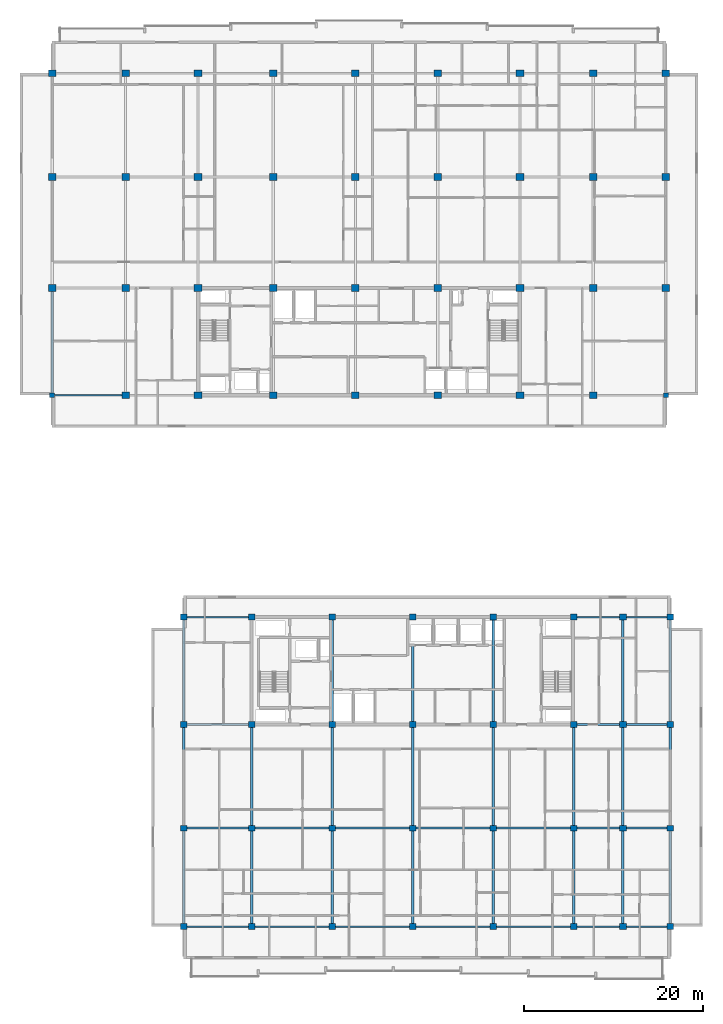
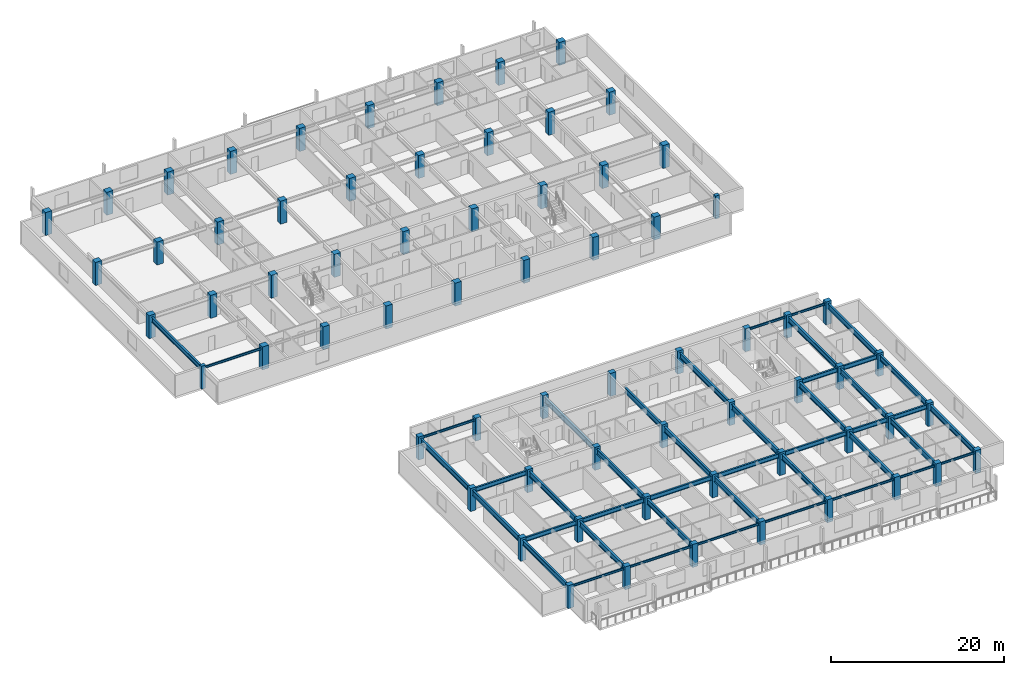
# One storey, part 1 of 22: 68 columns, 44 beams.
"""IFC4 building model written with IfcOpenShell, lengths in metres."""

from ifc_helpers import new_model, si_unit, direction, frame, origin, origin_2d, place, context, subcontext, project, spatial, rectangle, i_section, extrude, material, material_profile, profile_set, type_object, element, save


model = new_model("IFC4")

# Units and contexts
model_context = context("Model", 3, precision=1e-05, world=origin(), true_north=direction((0.0, 1.0)))
body_context = subcontext(model_context, "Body", "Model", "MODEL_VIEW")
ifc_project = project(units=[si_unit("LENGTHUNIT", "METRE"), si_unit("AREAUNIT", "SQUARE_METRE"), si_unit("VOLUMEUNIT", "CUBIC_METRE"), si_unit("PLANEANGLEUNIT", "RADIAN"), si_unit("MASSUNIT", "GRAM", prefix="KILO")], contexts=[model_context])

# Site, building, storey
site_placement = place(None, origin())
site = spatial("IfcSite", under=ifc_project, at=site_placement, CompositionType="ELEMENT")
building_placement = place(site_placement, origin())
building = spatial("IfcBuilding", under=site, at=building_placement, Name="Korimba Cascade Residences", CompositionType="ELEMENT")
storey_placement = place(building_placement, frame((0.0, 0.0, 194.60009765625)))
storey = spatial("IfcBuildingStorey", under=building, at=storey_placement, Name="L56", CompositionType="ELEMENT", Elevation=194.60009765625)

# Columns
ifc_material_1 = material(Name="Concrete C65/80", Category="concrete")
ifc_material_profile_1 = material_profile(ifc_material_1, rectangle(XDim=0.550048828125, YDim=0.449951171875, at=origin_2d()), Name="Concrete C65/80")
ifc_profile_set_1 = profile_set([ifc_material_profile_1], Name="Concrete C65/80")
column_type_1 = type_object("IfcColumnType", Name="COL-PIL-550", PredefinedType="PILASTER", material=ifc_profile_set_1)
for number, where, z_axis, x_axis, name in (
    (1, (59.800048828125, 55.199951171875, 0.0), (0.0, 0.0, 1.0), (1.0, 0.0, 0.0), "L56 Tower 1 Column 1.1"),
    (2, (128.39990234375, 55.199951171875, 0.0), (0.0, 0.0, 1.0), (1.0, 0.0, 0.0), "L56 Tower 1 Column 9.1"),
):
    element("IfcColumn", number, at=place(storey_placement, frame(where, z_axis=z_axis, x_axis=x_axis)), inside=storey, type_object=column_type_1, Name=name, PredefinedType="PILASTER", context=body_context, shape_type="SweptSolid", body=[
        extrude(rectangle(XDim=0.550048828125, YDim=0.449951171875, at=origin_2d()), origin(), (0.0, 0.0, 1.0), 3.25),
    ])
ifc_material_2 = material(Name="Concrete C50/60", Category="concrete")
ifc_material_profile_2 = material_profile(ifc_material_2, rectangle(XDim=0.75, YDim=0.64990234375, at=origin_2d()), Name="Concrete C50/60")
ifc_profile_set_2 = profile_set([ifc_material_profile_2], Name="Concrete C50/60")
column_type_2 = type_object("IfcColumnType", Name="COL-RC-750", PredefinedType="COLUMN", material=ifc_profile_set_2)
for number, where, z_axis, x_axis, name in (
    (3, (74.5, -4.199951171875, 0.0), (0.0, 0.0, 1.0), (1.0, 0.0, 0.0), "L56 Tower 2 Column 1.1"),
    (4, (74.5, 6.800048828125, 0.0), (0.0, 0.0, 1.0), (1.0, 0.0, 0.0), "L56 Tower 2 Column 1.2"),
    (5, (74.5, 18.39990234375, 0.0), (0.0, 0.0, 1.0), (1.0, 0.0, 0.0), "L56 Tower 2 Column 1.3"),
    (6, (74.5, 30.39990234375, 0.0), (0.0, 0.0, 1.0), (1.0, 0.0, 0.0), "L56 Tower 2 Column 1.4"),
    (7, (82.10009765625, -4.199951171875, 0.0), (0.0, 0.0, 1.0), (1.0, 0.0, 0.0), "L56 Tower 2 Column 2.1"),
    (8, (82.10009765625, 6.800048828125, 0.0), (0.0, 0.0, 1.0), (1.0, 0.0, 0.0), "L56 Tower 2 Column 2.2"),
    (9, (82.10009765625, 18.39990234375, 0.0), (0.0, 0.0, 1.0), (1.0, 0.0, 0.0), "L56 Tower 2 Column 2.3"),
    (10, (82.10009765625, 30.39990234375, 0.0), (0.0, 0.0, 1.0), (1.0, 0.0, 0.0), "L56 Tower 2 Column 2.4"),
    (11, (91.10009765625, -4.199951171875, 0.0), (0.0, 0.0, 1.0), (1.0, 0.0, 0.0), "L56 Tower 2 Column 3.1"),
    (12, (91.10009765625, 6.800048828125, 0.0), (0.0, 0.0, 1.0), (1.0, 0.0, 0.0), "L56 Tower 2 Column 3.2"),
    (13, (91.10009765625, 18.39990234375, 0.0), (0.0, 0.0, 1.0), (1.0, 0.0, 0.0), "L56 Tower 2 Column 3.3"),
    (14, (91.10009765625, 30.39990234375, 0.0), (0.0, 0.0, 1.0), (1.0, 0.0, 0.0), "L56 Tower 2 Column 3.4"),
    (15, (100.10009765625, -4.199951171875, 0.0), (0.0, 0.0, 1.0), (1.0, 0.0, 0.0), "L56 Tower 2 Column 4.1"),
    (16, (100.10009765625, 6.800048828125, 0.0), (0.0, 0.0, 1.0), (1.0, 0.0, 0.0), "L56 Tower 2 Column 4.2"),
    (17, (100.10009765625, 18.39990234375, 0.0), (0.0, 0.0, 1.0), (1.0, 0.0, 0.0), "L56 Tower 2 Column 4.3"),
    (18, (100.10009765625, 30.39990234375, 0.0), (0.0, 0.0, 1.0), (1.0, 0.0, 0.0), "L56 Tower 2 Column 4.4"),
    (19, (109.10009765625, -4.199951171875, 0.0), (0.0, 0.0, 1.0), (1.0, 0.0, 0.0), "L56 Tower 2 Column 5.1"),
    (20, (109.10009765625, 6.800048828125, 0.0), (0.0, 0.0, 1.0), (1.0, 0.0, 0.0), "L56 Tower 2 Column 5.2"),
    (21, (109.10009765625, 18.39990234375, 0.0), (0.0, 0.0, 1.0), (1.0, 0.0, 0.0), "L56 Tower 2 Column 5.3"),
    (22, (109.10009765625, 30.39990234375, 0.0), (0.0, 0.0, 1.0), (1.0, 0.0, 0.0), "L56 Tower 2 Column 5.4"),
    (23, (118.10009765625, -4.199951171875, 0.0), (0.0, 0.0, 1.0), (1.0, 0.0, 0.0), "L56 Tower 2 Column 6.1"),
    (24, (118.10009765625, 6.800048828125, 0.0), (0.0, 0.0, 1.0), (1.0, 0.0, 0.0), "L56 Tower 2 Column 6.2"),
    (25, (118.10009765625, 18.39990234375, 0.0), (0.0, 0.0, 1.0), (1.0, 0.0, 0.0), "L56 Tower 2 Column 6.3"),
    (26, (118.10009765625, 30.39990234375, 0.0), (0.0, 0.0, 1.0), (1.0, 0.0, 0.0), "L56 Tower 2 Column 6.4"),
    (27, (123.60009765625, -4.199951171875, 0.0), (0.0, 0.0, 1.0), (1.0, 0.0, 0.0), "L56 Tower 2 Column 7.1"),
    (28, (123.60009765625, 6.800048828125, 0.0), (0.0, 0.0, 1.0), (1.0, 0.0, 0.0), "L56 Tower 2 Column 7.2"),
    (29, (123.60009765625, 18.39990234375, 0.0), (0.0, 0.0, 1.0), (1.0, 0.0, 0.0), "L56 Tower 2 Column 7.3"),
    (30, (123.60009765625, 30.39990234375, 0.0), (0.0, 0.0, 1.0), (1.0, 0.0, 0.0), "L56 Tower 2 Column 7.4"),
    (31, (128.89990234375, -4.199951171875, 0.0), (0.0, 0.0, 1.0), (1.0, 0.0, 0.0), "L56 Tower 2 Column 8.1"),
    (32, (128.89990234375, 6.800048828125, 0.0), (0.0, 0.0, 1.0), (1.0, 0.0, 0.0), "L56 Tower 2 Column 8.2"),
    (33, (128.89990234375, 18.39990234375, 0.0), (0.0, 0.0, 1.0), (1.0, 0.0, 0.0), "L56 Tower 2 Column 8.3"),
    (34, (128.89990234375, 30.39990234375, 0.0), (0.0, 0.0, 1.0), (1.0, 0.0, 0.0), "L56 Tower 2 Column 8.4"),
):
    element("IfcColumn", number, at=place(storey_placement, frame(where, z_axis=z_axis, x_axis=x_axis)), inside=storey, type_object=column_type_2, Name=name, PredefinedType="COLUMN", context=body_context, shape_type="SweptSolid", body=[
        extrude(rectangle(XDim=0.75, YDim=0.64990234375, at=origin_2d()), origin(), (0.0, 0.0, 1.0), 3.25),
    ])
ifc_material_profile_3 = material_profile(ifc_material_1, rectangle(XDim=0.85009765625, YDim=0.75, at=origin_2d()), Name="Concrete C65/80")
ifc_profile_set_3 = profile_set([ifc_material_profile_3], Name="Concrete C65/80")
column_type_3 = type_object("IfcColumnType", Name="COL-RC-850", PredefinedType="COLUMN", material=ifc_profile_set_3)
for number, where, z_axis, x_axis, name in (
    (35, (59.800048828125, 67.199951171875, 0.0), (0.0, 0.0, 1.0), (1.0, 0.0, 0.0), "L56 Tower 1 Column 1.2"),
    (36, (59.800048828125, 79.60009765625, 0.0), (0.0, 0.0, 1.0), (1.0, 0.0, 0.0), "L56 Tower 1 Column 1.3"),
    (37, (59.800048828125, 91.199951171875, 0.0), (0.0, 0.0, 1.0), (1.0, 0.0, 0.0), "L56 Tower 1 Column 1.4"),
    (38, (68.0, 55.199951171875, 0.0), (0.0, 0.0, 1.0), (1.0, 0.0, 0.0), "L56 Tower 1 Column 2.1"),
    (39, (68.0, 67.199951171875, 0.0), (0.0, 0.0, 1.0), (1.0, 0.0, 0.0), "L56 Tower 1 Column 2.2"),
    (40, (68.0, 79.60009765625, 0.0), (0.0, 0.0, 1.0), (1.0, 0.0, 0.0), "L56 Tower 1 Column 2.3"),
    (41, (68.0, 91.199951171875, 0.0), (0.0, 0.0, 1.0), (1.0, 0.0, 0.0), "L56 Tower 1 Column 2.4"),
    (42, (76.10009765625, 55.199951171875, 0.0), (0.0, 0.0, 1.0), (1.0, 0.0, 0.0), "L56 Tower 1 Column 3.1"),
    (43, (76.10009765625, 67.199951171875, 0.0), (0.0, 0.0, 1.0), (1.0, 0.0, 0.0), "L56 Tower 1 Column 3.2"),
    (44, (76.10009765625, 79.60009765625, 0.0), (0.0, 0.0, 1.0), (1.0, 0.0, 0.0), "L56 Tower 1 Column 3.3"),
    (45, (76.10009765625, 91.199951171875, 0.0), (0.0, 0.0, 1.0), (1.0, 0.0, 0.0), "L56 Tower 1 Column 3.4"),
    (46, (84.5, 55.199951171875, 0.0), (0.0, 0.0, 1.0), (1.0, 0.0, 0.0), "L56 Tower 1 Column 4.1"),
    (47, (84.5, 67.199951171875, 0.0), (0.0, 0.0, 1.0), (1.0, 0.0, 0.0), "L56 Tower 1 Column 4.2"),
    (48, (84.5, 79.60009765625, 0.0), (0.0, 0.0, 1.0), (1.0, 0.0, 0.0), "L56 Tower 1 Column 4.3"),
    (49, (84.5, 91.199951171875, 0.0), (0.0, 0.0, 1.0), (1.0, 0.0, 0.0), "L56 Tower 1 Column 4.4"),
    (50, (93.699951171875, 55.199951171875, 0.0), (0.0, 0.0, 1.0), (1.0, 0.0, 0.0), "L56 Tower 1 Column 5.1"),
    (51, (93.699951171875, 67.199951171875, 0.0), (0.0, 0.0, 1.0), (1.0, 0.0, 0.0), "L56 Tower 1 Column 5.2"),
    (52, (93.699951171875, 79.60009765625, 0.0), (0.0, 0.0, 1.0), (1.0, 0.0, 0.0), "L56 Tower 1 Column 5.3"),
    (53, (93.699951171875, 91.199951171875, 0.0), (0.0, 0.0, 1.0), (1.0, 0.0, 0.0), "L56 Tower 1 Column 5.4"),
    (54, (102.89990234375, 55.199951171875, 0.0), (0.0, 0.0, 1.0), (1.0, 0.0, 0.0), "L56 Tower 1 Column 6.1"),
    (55, (102.89990234375, 67.199951171875, 0.0), (0.0, 0.0, 1.0), (1.0, 0.0, 0.0), "L56 Tower 1 Column 6.2"),
    (56, (102.89990234375, 79.60009765625, 0.0), (0.0, 0.0, 1.0), (1.0, 0.0, 0.0), "L56 Tower 1 Column 6.3"),
    (57, (102.89990234375, 91.199951171875, 0.0), (0.0, 0.0, 1.0), (1.0, 0.0, 0.0), "L56 Tower 1 Column 6.4"),
    (58, (112.10009765625, 55.199951171875, 0.0), (0.0, 0.0, 1.0), (1.0, 0.0, 0.0), "L56 Tower 1 Column 7.1"),
    (59, (112.10009765625, 67.199951171875, 0.0), (0.0, 0.0, 1.0), (1.0, 0.0, 0.0), "L56 Tower 1 Column 7.2"),
    (60, (112.10009765625, 79.60009765625, 0.0), (0.0, 0.0, 1.0), (1.0, 0.0, 0.0), "L56 Tower 1 Column 7.3"),
    (61, (112.10009765625, 91.199951171875, 0.0), (0.0, 0.0, 1.0), (1.0, 0.0, 0.0), "L56 Tower 1 Column 7.4"),
    (62, (120.300048828125, 55.199951171875, 0.0), (0.0, 0.0, 1.0), (1.0, 0.0, 0.0), "L56 Tower 1 Column 8.1"),
    (63, (120.300048828125, 67.199951171875, 0.0), (0.0, 0.0, 1.0), (1.0, 0.0, 0.0), "L56 Tower 1 Column 8.2"),
    (64, (120.300048828125, 79.60009765625, 0.0), (0.0, 0.0, 1.0), (1.0, 0.0, 0.0), "L56 Tower 1 Column 8.3"),
    (65, (120.300048828125, 91.199951171875, 0.0), (0.0, 0.0, 1.0), (1.0, 0.0, 0.0), "L56 Tower 1 Column 8.4"),
    (66, (128.39990234375, 67.199951171875, 0.0), (0.0, 0.0, 1.0), (1.0, 0.0, 0.0), "L56 Tower 1 Column 9.2"),
    (67, (128.39990234375, 79.60009765625, 0.0), (0.0, 0.0, 1.0), (1.0, 0.0, 0.0), "L56 Tower 1 Column 9.3"),
    (68, (128.39990234375, 91.199951171875, 0.0), (0.0, 0.0, 1.0), (1.0, 0.0, 0.0), "L56 Tower 1 Column 9.4"),
):
    element("IfcColumn", number, at=place(storey_placement, frame(where, z_axis=z_axis, x_axis=x_axis)), inside=storey, type_object=column_type_3, Name=name, PredefinedType="COLUMN", context=body_context, shape_type="SweptSolid", body=[
        extrude(rectangle(XDim=0.85009765625, YDim=0.75, at=origin_2d()), origin(), (0.0, 0.0, 1.0), 3.25),
    ])

# Beams
ifc_material_3 = material(Name="Steel S355", Category="steel")
ifc_material_profile_4 = material_profile(ifc_material_3, i_section(OverallWidth=0.165771484375, OverallDepth=0.306640625, WebThickness=0.006591796875, FlangeThickness=0.01171875, FilletRadius=0.0087890625, at=origin_2d()), Name="Steel S355")
ifc_profile_set_4 = profile_set([ifc_material_profile_4], Name="Steel S355")
beam_type_1 = type_object("IfcBeamType", Name="BM-STL-UB305", PredefinedType="SPANDREL", material=ifc_profile_set_4)
beam_1_placement = place(storey_placement, frame((60.074951171875, 55.199951171875, 2.816650390625), z_axis=(1.0, 0.0, 0.0), x_axis=(0.0, 1.0, 0.0)))
element("IfcBeam", 69, at=beam_1_placement, inside=storey, type_object=beam_type_1, Name="L56 T1 E-W Girder Y1 Bay 1", PredefinedType="SPANDREL", context=body_context, shape_type="SweptSolid", body=[
    extrude(i_section(OverallWidth=0.165771484375, OverallDepth=0.306640625, WebThickness=0.006591796875, FlangeThickness=0.01171875, FilletRadius=0.0087890625, at=origin_2d()), origin(), (0.0, 0.0, 1.0), 7.5),
])
beam_2_placement = place(storey_placement, frame((74.875, -4.199951171875, 2.816650390625), z_axis=(1.0, 0.0, 0.0), x_axis=(0.0, 1.0, 0.0)))
element("IfcBeam", 70, at=beam_2_placement, inside=storey, type_object=beam_type_1, Name="L56 T2 E-W Girder Y1 Bay 1", PredefinedType="SPANDREL", context=body_context, shape_type="SweptSolid", body=[
    extrude(i_section(OverallWidth=0.165771484375, OverallDepth=0.306640625, WebThickness=0.006591796875, FlangeThickness=0.01171875, FilletRadius=0.0087890625, at=origin_2d()), origin(), (0.0, 0.0, 1.0), 6.85009765625),
])
for number, where, z_axis, x_axis, name in (
    (71, (82.47509765625, -4.199951171875, 2.816650390625), (1.0, 0.0, 0.0), (0.0, 1.0, 0.0), "L56 T2 E-W Girder Y1 Bay 2"),
    (72, (91.47509765625, -4.199951171875, 2.816650390625), (1.0, 0.0, 0.0), (0.0, 1.0, 0.0), "L56 T2 E-W Girder Y1 Bay 3"),
    (73, (100.47509765625, -4.199951171875, 2.816650390625), (1.0, 0.0, 0.0), (0.0, 1.0, 0.0), "L56 T2 E-W Girder Y1 Bay 4"),
    (74, (109.47509765625, -4.199951171875, 2.816650390625), (1.0, 0.0, 0.0), (0.0, 1.0, 0.0), "L56 T2 E-W Girder Y1 Bay 5"),
):
    element("IfcBeam", number, at=place(storey_placement, frame(where, z_axis=z_axis, x_axis=x_axis)), inside=storey, type_object=beam_type_1, Name=name, PredefinedType="SPANDREL", context=body_context, shape_type="SweptSolid", body=[
        extrude(i_section(OverallWidth=0.165771484375, OverallDepth=0.306640625, WebThickness=0.006591796875, FlangeThickness=0.01171875, FilletRadius=0.0087890625, at=origin_2d()), origin(), (0.0, 0.0, 1.0), 8.25),
    ])
beam_3_placement = place(storey_placement, frame((118.47509765625, -4.199951171875, 2.816650390625), z_axis=(1.0, 0.0, 0.0), x_axis=(0.0, 1.0, 0.0)))
element("IfcBeam", 75, at=beam_3_placement, inside=storey, type_object=beam_type_1, Name="L56 T2 E-W Girder Y1 Bay 6", PredefinedType="SPANDREL", context=body_context, shape_type="SweptSolid", body=[
    extrude(i_section(OverallWidth=0.165771484375, OverallDepth=0.306640625, WebThickness=0.006591796875, FlangeThickness=0.01171875, FilletRadius=0.0087890625, at=origin_2d()), origin(), (0.0, 0.0, 1.0), 4.75),
])
beam_4_placement = place(storey_placement, frame((123.97509765625, -4.199951171875, 2.816650390625), z_axis=(1.0, 0.0, 0.0), x_axis=(0.0, 1.0, 0.0)))
element("IfcBeam", 76, at=beam_4_placement, inside=storey, type_object=beam_type_1, Name="L56 T2 E-W Girder Y1 Bay 7", PredefinedType="SPANDREL", context=body_context, shape_type="SweptSolid", body=[
    extrude(i_section(OverallWidth=0.165771484375, OverallDepth=0.306640625, WebThickness=0.006591796875, FlangeThickness=0.01171875, FilletRadius=0.0087890625, at=origin_2d()), origin(), (0.0, 0.0, 1.0), 4.5498046875),
])
beam_5_placement = place(storey_placement, frame((74.875, 30.39990234375, 2.816650390625), z_axis=(1.0, 0.0, 0.0), x_axis=(0.0, 1.0, 0.0)))
element("IfcBeam", 77, at=beam_5_placement, inside=storey, type_object=beam_type_1, Name="L56 T2 E-W Girder Y4 Bay 1", PredefinedType="SPANDREL", context=body_context, shape_type="SweptSolid", body=[
    extrude(i_section(OverallWidth=0.165771484375, OverallDepth=0.306640625, WebThickness=0.006591796875, FlangeThickness=0.01171875, FilletRadius=0.0087890625, at=origin_2d()), origin(), (0.0, 0.0, 1.0), 6.85009765625),
])
beam_6_placement = place(storey_placement, frame((118.47509765625, 30.39990234375, 2.816650390625), z_axis=(1.0, 0.0, 0.0), x_axis=(0.0, 1.0, 0.0)))
element("IfcBeam", 78, at=beam_6_placement, inside=storey, type_object=beam_type_1, Name="L56 T2 E-W Girder Y4 Bay 6", PredefinedType="SPANDREL", context=body_context, shape_type="SweptSolid", body=[
    extrude(i_section(OverallWidth=0.165771484375, OverallDepth=0.306640625, WebThickness=0.006591796875, FlangeThickness=0.01171875, FilletRadius=0.0087890625, at=origin_2d()), origin(), (0.0, 0.0, 1.0), 4.75),
])
beam_7_placement = place(storey_placement, frame((123.97509765625, 30.39990234375, 2.816650390625), z_axis=(1.0, 0.0, 0.0), x_axis=(0.0, 1.0, 0.0)))
element("IfcBeam", 79, at=beam_7_placement, inside=storey, type_object=beam_type_1, Name="L56 T2 E-W Girder Y4 Bay 7", PredefinedType="SPANDREL", context=body_context, shape_type="SweptSolid", body=[
    extrude(i_section(OverallWidth=0.165771484375, OverallDepth=0.306640625, WebThickness=0.006591796875, FlangeThickness=0.01171875, FilletRadius=0.0087890625, at=origin_2d()), origin(), (0.0, 0.0, 1.0), 4.5498046875),
])
ifc_material_profile_5 = material_profile(ifc_material_3, i_section(OverallWidth=0.22900390625, OverallDepth=0.6123046875, WebThickness=0.011962890625, FlangeThickness=0.01953125, FilletRadius=0.0126953125, at=origin_2d()), Name="Steel S355")
ifc_profile_set_5 = profile_set([ifc_material_profile_5], Name="Steel S355")
beam_type_2 = type_object("IfcBeamType", Name="BM-STL-UB610B", PredefinedType="BEAM", material=ifc_profile_set_5)
beam_8_placement = place(storey_placement, frame((74.875, 6.800048828125, 2.663818359375), z_axis=(1.0, 0.0, 0.0), x_axis=(0.0, 1.0, 0.0)))
element("IfcBeam", 80, at=beam_8_placement, inside=storey, type_object=beam_type_2, Name="L56 T2 E-W Girder Y2 Bay 1", PredefinedType="BEAM", context=body_context, shape_type="SweptSolid", body=[
    extrude(i_section(OverallWidth=0.22900390625, OverallDepth=0.6123046875, WebThickness=0.011962890625, FlangeThickness=0.01953125, FilletRadius=0.0126953125, at=origin_2d()), origin(), (0.0, 0.0, 1.0), 6.85009765625),
])
for number, where, z_axis, x_axis, name in (
    (81, (82.47509765625, 6.800048828125, 2.663818359375), (1.0, 0.0, 0.0), (0.0, 1.0, 0.0), "L56 T2 E-W Girder Y2 Bay 2"),
    (82, (91.47509765625, 6.800048828125, 2.663818359375), (1.0, 0.0, 0.0), (0.0, 1.0, 0.0), "L56 T2 E-W Girder Y2 Bay 3"),
    (83, (100.47509765625, 6.800048828125, 2.663818359375), (1.0, 0.0, 0.0), (0.0, 1.0, 0.0), "L56 T2 E-W Girder Y2 Bay 4"),
    (84, (109.47509765625, 6.800048828125, 2.663818359375), (1.0, 0.0, 0.0), (0.0, 1.0, 0.0), "L56 T2 E-W Girder Y2 Bay 5"),
):
    element("IfcBeam", number, at=place(storey_placement, frame(where, z_axis=z_axis, x_axis=x_axis)), inside=storey, type_object=beam_type_2, Name=name, PredefinedType="BEAM", context=body_context, shape_type="SweptSolid", body=[
        extrude(i_section(OverallWidth=0.22900390625, OverallDepth=0.6123046875, WebThickness=0.011962890625, FlangeThickness=0.01953125, FilletRadius=0.0126953125, at=origin_2d()), origin(), (0.0, 0.0, 1.0), 8.25),
    ])
beam_9_placement = place(storey_placement, frame((118.47509765625, 6.800048828125, 2.663818359375), z_axis=(1.0, 0.0, 0.0), x_axis=(0.0, 1.0, 0.0)))
element("IfcBeam", 85, at=beam_9_placement, inside=storey, type_object=beam_type_2, Name="L56 T2 E-W Girder Y2 Bay 6", PredefinedType="BEAM", context=body_context, shape_type="SweptSolid", body=[
    extrude(i_section(OverallWidth=0.22900390625, OverallDepth=0.6123046875, WebThickness=0.011962890625, FlangeThickness=0.01953125, FilletRadius=0.0126953125, at=origin_2d()), origin(), (0.0, 0.0, 1.0), 4.75),
])
beam_10_placement = place(storey_placement, frame((123.97509765625, 6.800048828125, 2.663818359375), z_axis=(1.0, 0.0, 0.0), x_axis=(0.0, 1.0, 0.0)))
element("IfcBeam", 86, at=beam_10_placement, inside=storey, type_object=beam_type_2, Name="L56 T2 E-W Girder Y2 Bay 7", PredefinedType="BEAM", context=body_context, shape_type="SweptSolid", body=[
    extrude(i_section(OverallWidth=0.22900390625, OverallDepth=0.6123046875, WebThickness=0.011962890625, FlangeThickness=0.01953125, FilletRadius=0.0126953125, at=origin_2d()), origin(), (0.0, 0.0, 1.0), 4.5498046875),
])
beam_11_placement = place(storey_placement, frame((74.875, 18.39990234375, 2.663818359375), z_axis=(1.0, 0.0, 0.0), x_axis=(0.0, 1.0, 0.0)))
element("IfcBeam", 87, at=beam_11_placement, inside=storey, type_object=beam_type_2, Name="L56 T2 E-W Girder Y3 Bay 1", PredefinedType="BEAM", context=body_context, shape_type="SweptSolid", body=[
    extrude(i_section(OverallWidth=0.22900390625, OverallDepth=0.6123046875, WebThickness=0.011962890625, FlangeThickness=0.01953125, FilletRadius=0.0126953125, at=origin_2d()), origin(), (0.0, 0.0, 1.0), 6.85009765625),
])
beam_12_placement = place(storey_placement, frame((118.47509765625, 18.39990234375, 2.663818359375), z_axis=(1.0, 0.0, 0.0), x_axis=(0.0, 1.0, 0.0)))
element("IfcBeam", 88, at=beam_12_placement, inside=storey, type_object=beam_type_2, Name="L56 T2 E-W Girder Y3 Bay 6", PredefinedType="BEAM", context=body_context, shape_type="SweptSolid", body=[
    extrude(i_section(OverallWidth=0.22900390625, OverallDepth=0.6123046875, WebThickness=0.011962890625, FlangeThickness=0.01953125, FilletRadius=0.0126953125, at=origin_2d()), origin(), (0.0, 0.0, 1.0), 4.75),
])
beam_13_placement = place(storey_placement, frame((123.97509765625, 18.39990234375, 2.663818359375), z_axis=(1.0, 0.0, 0.0), x_axis=(0.0, 1.0, 0.0)))
element("IfcBeam", 89, at=beam_13_placement, inside=storey, type_object=beam_type_2, Name="L56 T2 E-W Girder Y3 Bay 7", PredefinedType="BEAM", context=body_context, shape_type="SweptSolid", body=[
    extrude(i_section(OverallWidth=0.22900390625, OverallDepth=0.6123046875, WebThickness=0.011962890625, FlangeThickness=0.01953125, FilletRadius=0.0126953125, at=origin_2d()), origin(), (0.0, 0.0, 1.0), 4.5498046875),
])
ifc_material_profile_6 = material_profile(ifc_material_3, i_section(OverallWidth=0.255859375, OverallDepth=0.69287109375, WebThickness=0.014404296875, FlangeThickness=0.023681640625, FilletRadius=0.01513671875, at=origin_2d()), Name="Steel S355")
ifc_profile_set_6 = profile_set([ifc_material_profile_6], Name="Steel S355")
beam_type_3 = type_object("IfcBeamType", Name="BM-STL-UB686", PredefinedType="BEAM", material=ifc_profile_set_6)
beam_14_placement = place(storey_placement, frame((59.800048828125, 55.425048828125, 2.623291015625), z_axis=(0.0, 1.0, 0.0), x_axis=(-1.0, 0.0, 0.0)))
element("IfcBeam", 90, at=beam_14_placement, inside=storey, type_object=beam_type_3, Name="L56 T1 N-S Girder X1 Seg 1", PredefinedType="BEAM", context=body_context, shape_type="SweptSolid", body=[
    extrude(i_section(OverallWidth=0.255859375, OverallDepth=0.69287109375, WebThickness=0.014404296875, FlangeThickness=0.023681640625, FilletRadius=0.01513671875, at=origin_2d()), origin(), (0.0, 0.0, 1.0), 11.39990234375),
])
ifc_material_profile_7 = material_profile(ifc_material_3, i_section(OverallWidth=0.26806640625, OverallDepth=0.769775390625, WebThickness=0.015625, FlangeThickness=0.025390625, FilletRadius=0.0166015625, at=origin_2d()), Name="Steel S355")
ifc_profile_set_7 = profile_set([ifc_material_profile_7], Name="Steel S355")
beam_type_4 = type_object("IfcBeamType", Name="BM-STL-UB762", PredefinedType="BEAM", material=ifc_profile_set_7)
beam_15_placement = place(storey_placement, frame((74.5, -3.875, 2.5849609375), z_axis=(0.0, 1.0, 0.0), x_axis=(-1.0, 0.0, 0.0)))
element("IfcBeam", 91, at=beam_15_placement, inside=storey, type_object=beam_type_4, Name="L56 T2 N-S Girder X1 Seg 1", PredefinedType="BEAM", context=body_context, shape_type="SweptSolid", body=[
    extrude(i_section(OverallWidth=0.26806640625, OverallDepth=0.769775390625, WebThickness=0.015625, FlangeThickness=0.025390625, FilletRadius=0.0166015625, at=origin_2d()), origin(), (0.0, 0.0, 1.0), 10.35009765625),
])
beam_16_placement = place(storey_placement, frame((74.5, 7.125, 2.5849609375), z_axis=(0.0, 1.0, 0.0), x_axis=(-1.0, 0.0, 0.0)))
element("IfcBeam", 92, at=beam_16_placement, inside=storey, type_object=beam_type_4, Name="L56 T2 N-S Girder X1 Seg 2", PredefinedType="BEAM", context=body_context, shape_type="SweptSolid", body=[
    extrude(i_section(OverallWidth=0.26806640625, OverallDepth=0.769775390625, WebThickness=0.015625, FlangeThickness=0.025390625, FilletRadius=0.0166015625, at=origin_2d()), origin(), (0.0, 0.0, 1.0), 10.949951171875),
])
beam_17_placement = place(storey_placement, frame((74.5, 18.72509765625, 2.5849609375), z_axis=(0.0, 1.0, 0.0), x_axis=(-1.0, 0.0, 0.0)))
element("IfcBeam", 93, at=beam_17_placement, inside=storey, type_object=beam_type_4, Name="L56 T2 N-S Girder X1 Seg 3", PredefinedType="BEAM", context=body_context, shape_type="SweptSolid", body=[
    extrude(i_section(OverallWidth=0.26806640625, OverallDepth=0.769775390625, WebThickness=0.015625, FlangeThickness=0.025390625, FilletRadius=0.0166015625, at=origin_2d()), origin(), (0.0, 0.0, 1.0), 11.349853515625),
])
beam_18_placement = place(storey_placement, frame((82.10009765625, -3.875, 2.5849609375), z_axis=(0.0, 1.0, 0.0), x_axis=(-1.0, 0.0, 0.0)))
element("IfcBeam", 94, at=beam_18_placement, inside=storey, type_object=beam_type_4, Name="L56 T2 N-S Girder X2 Seg 1", PredefinedType="BEAM", context=body_context, shape_type="SweptSolid", body=[
    extrude(i_section(OverallWidth=0.26806640625, OverallDepth=0.769775390625, WebThickness=0.015625, FlangeThickness=0.025390625, FilletRadius=0.0166015625, at=origin_2d()), origin(), (0.0, 0.0, 1.0), 10.35009765625),
])
beam_19_placement = place(storey_placement, frame((82.10009765625, 7.125, 2.5849609375), z_axis=(0.0, 1.0, 0.0), x_axis=(-1.0, 0.0, 0.0)))
element("IfcBeam", 95, at=beam_19_placement, inside=storey, type_object=beam_type_4, Name="L56 T2 N-S Girder X2 Seg 2", PredefinedType="BEAM", context=body_context, shape_type="SweptSolid", body=[
    extrude(i_section(OverallWidth=0.26806640625, OverallDepth=0.769775390625, WebThickness=0.015625, FlangeThickness=0.025390625, FilletRadius=0.0166015625, at=origin_2d()), origin(), (0.0, 0.0, 1.0), 10.949951171875),
])
beam_20_placement = place(storey_placement, frame((91.10009765625, -3.875, 2.5849609375), z_axis=(0.0, 1.0, 0.0), x_axis=(-1.0, 0.0, 0.0)))
element("IfcBeam", 96, at=beam_20_placement, inside=storey, type_object=beam_type_4, Name="L56 T2 N-S Girder X3 Seg 1", PredefinedType="BEAM", context=body_context, shape_type="SweptSolid", body=[
    extrude(i_section(OverallWidth=0.26806640625, OverallDepth=0.769775390625, WebThickness=0.015625, FlangeThickness=0.025390625, FilletRadius=0.0166015625, at=origin_2d()), origin(), (0.0, 0.0, 1.0), 10.35009765625),
])
beam_21_placement = place(storey_placement, frame((91.10009765625, 7.125, 2.5849609375), z_axis=(0.0, 1.0, 0.0), x_axis=(-1.0, 0.0, 0.0)))
element("IfcBeam", 97, at=beam_21_placement, inside=storey, type_object=beam_type_4, Name="L56 T2 N-S Girder X3 Seg 2", PredefinedType="BEAM", context=body_context, shape_type="SweptSolid", body=[
    extrude(i_section(OverallWidth=0.26806640625, OverallDepth=0.769775390625, WebThickness=0.015625, FlangeThickness=0.025390625, FilletRadius=0.0166015625, at=origin_2d()), origin(), (0.0, 0.0, 1.0), 10.949951171875),
])
beam_22_placement = place(storey_placement, frame((91.10009765625, 18.72509765625, 2.5849609375), z_axis=(0.0, 1.0, 0.0), x_axis=(-1.0, 0.0, 0.0)))
element("IfcBeam", 98, at=beam_22_placement, inside=storey, type_object=beam_type_4, Name="L56 T2 N-S Girder X3 Seg 3", PredefinedType="BEAM", context=body_context, shape_type="SweptSolid", body=[
    extrude(i_section(OverallWidth=0.26806640625, OverallDepth=0.769775390625, WebThickness=0.015625, FlangeThickness=0.025390625, FilletRadius=0.0166015625, at=origin_2d()), origin(), (0.0, 0.0, 1.0), 11.349853515625),
])
beam_23_placement = place(storey_placement, frame((100.10009765625, -3.875, 2.5849609375), z_axis=(0.0, 1.0, 0.0), x_axis=(-1.0, 0.0, 0.0)))
element("IfcBeam", 99, at=beam_23_placement, inside=storey, type_object=beam_type_4, Name="L56 T2 N-S Girder X4 Seg 1", PredefinedType="BEAM", context=body_context, shape_type="SweptSolid", body=[
    extrude(i_section(OverallWidth=0.26806640625, OverallDepth=0.769775390625, WebThickness=0.015625, FlangeThickness=0.025390625, FilletRadius=0.0166015625, at=origin_2d()), origin(), (0.0, 0.0, 1.0), 10.35009765625),
])
beam_24_placement = place(storey_placement, frame((100.10009765625, 7.125, 2.5849609375), z_axis=(0.0, 1.0, 0.0), x_axis=(-1.0, 0.0, 0.0)))
element("IfcBeam", 100, at=beam_24_placement, inside=storey, type_object=beam_type_4, Name="L56 T2 N-S Girder X4 Seg 2", PredefinedType="BEAM", context=body_context, shape_type="SweptSolid", body=[
    extrude(i_section(OverallWidth=0.26806640625, OverallDepth=0.769775390625, WebThickness=0.015625, FlangeThickness=0.025390625, FilletRadius=0.0166015625, at=origin_2d()), origin(), (0.0, 0.0, 1.0), 10.949951171875),
])
beam_25_placement = place(storey_placement, frame((100.10009765625, 18.72509765625, 2.5849609375), z_axis=(0.0, 1.0, 0.0), x_axis=(-1.0, 0.0, 0.0)))
element("IfcBeam", 101, at=beam_25_placement, inside=storey, type_object=beam_type_4, Name="L56 T2 N-S Girder X4 Seg 3", PredefinedType="BEAM", context=body_context, shape_type="SweptSolid", body=[
    extrude(i_section(OverallWidth=0.26806640625, OverallDepth=0.769775390625, WebThickness=0.015625, FlangeThickness=0.025390625, FilletRadius=0.0166015625, at=origin_2d()), origin(), (0.0, 0.0, 1.0), 8.614990234375),
])
beam_26_placement = place(storey_placement, frame((109.10009765625, -3.875, 2.5849609375), z_axis=(0.0, 1.0, 0.0), x_axis=(-1.0, 0.0, 0.0)))
element("IfcBeam", 102, at=beam_26_placement, inside=storey, type_object=beam_type_4, Name="L56 T2 N-S Girder X5 Seg 1", PredefinedType="BEAM", context=body_context, shape_type="SweptSolid", body=[
    extrude(i_section(OverallWidth=0.26806640625, OverallDepth=0.769775390625, WebThickness=0.015625, FlangeThickness=0.025390625, FilletRadius=0.0166015625, at=origin_2d()), origin(), (0.0, 0.0, 1.0), 10.35009765625),
])
beam_27_placement = place(storey_placement, frame((109.10009765625, 7.125, 2.5849609375), z_axis=(0.0, 1.0, 0.0), x_axis=(-1.0, 0.0, 0.0)))
element("IfcBeam", 103, at=beam_27_placement, inside=storey, type_object=beam_type_4, Name="L56 T2 N-S Girder X5 Seg 2", PredefinedType="BEAM", context=body_context, shape_type="SweptSolid", body=[
    extrude(i_section(OverallWidth=0.26806640625, OverallDepth=0.769775390625, WebThickness=0.015625, FlangeThickness=0.025390625, FilletRadius=0.0166015625, at=origin_2d()), origin(), (0.0, 0.0, 1.0), 10.949951171875),
])
beam_28_placement = place(storey_placement, frame((109.10009765625, 18.72509765625, 2.5849609375), z_axis=(0.0, 1.0, 0.0), x_axis=(-1.0, 0.0, 0.0)))
element("IfcBeam", 104, at=beam_28_placement, inside=storey, type_object=beam_type_4, Name="L56 T2 N-S Girder X5 Seg 3", PredefinedType="BEAM", context=body_context, shape_type="SweptSolid", body=[
    extrude(i_section(OverallWidth=0.26806640625, OverallDepth=0.769775390625, WebThickness=0.015625, FlangeThickness=0.025390625, FilletRadius=0.0166015625, at=origin_2d()), origin(), (0.0, 0.0, 1.0), 11.349853515625),
])
beam_29_placement = place(storey_placement, frame((118.10009765625, -3.875, 2.5849609375), z_axis=(0.0, 1.0, 0.0), x_axis=(-1.0, 0.0, 0.0)))
element("IfcBeam", 105, at=beam_29_placement, inside=storey, type_object=beam_type_4, Name="L56 T2 N-S Girder X6 Seg 1", PredefinedType="BEAM", context=body_context, shape_type="SweptSolid", body=[
    extrude(i_section(OverallWidth=0.26806640625, OverallDepth=0.769775390625, WebThickness=0.015625, FlangeThickness=0.025390625, FilletRadius=0.0166015625, at=origin_2d()), origin(), (0.0, 0.0, 1.0), 10.35009765625),
])
beam_30_placement = place(storey_placement, frame((118.10009765625, 7.125, 2.5849609375), z_axis=(0.0, 1.0, 0.0), x_axis=(-1.0, 0.0, 0.0)))
element("IfcBeam", 106, at=beam_30_placement, inside=storey, type_object=beam_type_4, Name="L56 T2 N-S Girder X6 Seg 2", PredefinedType="BEAM", context=body_context, shape_type="SweptSolid", body=[
    extrude(i_section(OverallWidth=0.26806640625, OverallDepth=0.769775390625, WebThickness=0.015625, FlangeThickness=0.025390625, FilletRadius=0.0166015625, at=origin_2d()), origin(), (0.0, 0.0, 1.0), 10.949951171875),
])
beam_31_placement = place(storey_placement, frame((123.60009765625, -3.875, 2.5849609375), z_axis=(0.0, 1.0, 0.0), x_axis=(-1.0, 0.0, 0.0)))
element("IfcBeam", 107, at=beam_31_placement, inside=storey, type_object=beam_type_4, Name="L56 T2 N-S Girder X7 Seg 1", PredefinedType="BEAM", context=body_context, shape_type="SweptSolid", body=[
    extrude(i_section(OverallWidth=0.26806640625, OverallDepth=0.769775390625, WebThickness=0.015625, FlangeThickness=0.025390625, FilletRadius=0.0166015625, at=origin_2d()), origin(), (0.0, 0.0, 1.0), 10.35009765625),
])
beam_32_placement = place(storey_placement, frame((123.60009765625, 7.125, 2.5849609375), z_axis=(0.0, 1.0, 0.0), x_axis=(-1.0, 0.0, 0.0)))
element("IfcBeam", 108, at=beam_32_placement, inside=storey, type_object=beam_type_4, Name="L56 T2 N-S Girder X7 Seg 2", PredefinedType="BEAM", context=body_context, shape_type="SweptSolid", body=[
    extrude(i_section(OverallWidth=0.26806640625, OverallDepth=0.769775390625, WebThickness=0.015625, FlangeThickness=0.025390625, FilletRadius=0.0166015625, at=origin_2d()), origin(), (0.0, 0.0, 1.0), 10.949951171875),
])
beam_33_placement = place(storey_placement, frame((123.60009765625, 18.72509765625, 2.5849609375), z_axis=(0.0, 1.0, 0.0), x_axis=(-1.0, 0.0, 0.0)))
element("IfcBeam", 109, at=beam_33_placement, inside=storey, type_object=beam_type_4, Name="L56 T2 N-S Girder X7 Seg 3", PredefinedType="BEAM", context=body_context, shape_type="SweptSolid", body=[
    extrude(i_section(OverallWidth=0.26806640625, OverallDepth=0.769775390625, WebThickness=0.015625, FlangeThickness=0.025390625, FilletRadius=0.0166015625, at=origin_2d()), origin(), (0.0, 0.0, 1.0), 11.349853515625),
])
beam_34_placement = place(storey_placement, frame((128.89990234375, -3.875, 2.5849609375), z_axis=(0.0, 1.0, 0.0), x_axis=(-1.0, 0.0, 0.0)))
element("IfcBeam", 110, at=beam_34_placement, inside=storey, type_object=beam_type_4, Name="L56 T2 N-S Girder X8 Seg 1", PredefinedType="BEAM", context=body_context, shape_type="SweptSolid", body=[
    extrude(i_section(OverallWidth=0.26806640625, OverallDepth=0.769775390625, WebThickness=0.015625, FlangeThickness=0.025390625, FilletRadius=0.0166015625, at=origin_2d()), origin(), (0.0, 0.0, 1.0), 10.35009765625),
])
beam_35_placement = place(storey_placement, frame((128.89990234375, 7.125, 2.5849609375), z_axis=(0.0, 1.0, 0.0), x_axis=(-1.0, 0.0, 0.0)))
element("IfcBeam", 111, at=beam_35_placement, inside=storey, type_object=beam_type_4, Name="L56 T2 N-S Girder X8 Seg 2", PredefinedType="BEAM", context=body_context, shape_type="SweptSolid", body=[
    extrude(i_section(OverallWidth=0.26806640625, OverallDepth=0.769775390625, WebThickness=0.015625, FlangeThickness=0.025390625, FilletRadius=0.0166015625, at=origin_2d()), origin(), (0.0, 0.0, 1.0), 10.949951171875),
])
beam_36_placement = place(storey_placement, frame((128.89990234375, 18.72509765625, 2.5849609375), z_axis=(0.0, 1.0, 0.0), x_axis=(-1.0, 0.0, 0.0)))
element("IfcBeam", 112, at=beam_36_placement, inside=storey, type_object=beam_type_4, Name="L56 T2 N-S Girder X8 Seg 3", PredefinedType="BEAM", context=body_context, shape_type="SweptSolid", body=[
    extrude(i_section(OverallWidth=0.26806640625, OverallDepth=0.769775390625, WebThickness=0.015625, FlangeThickness=0.025390625, FilletRadius=0.0166015625, at=origin_2d()), origin(), (0.0, 0.0, 1.0), 11.349853515625),
])

save(model, "model.ifc")
